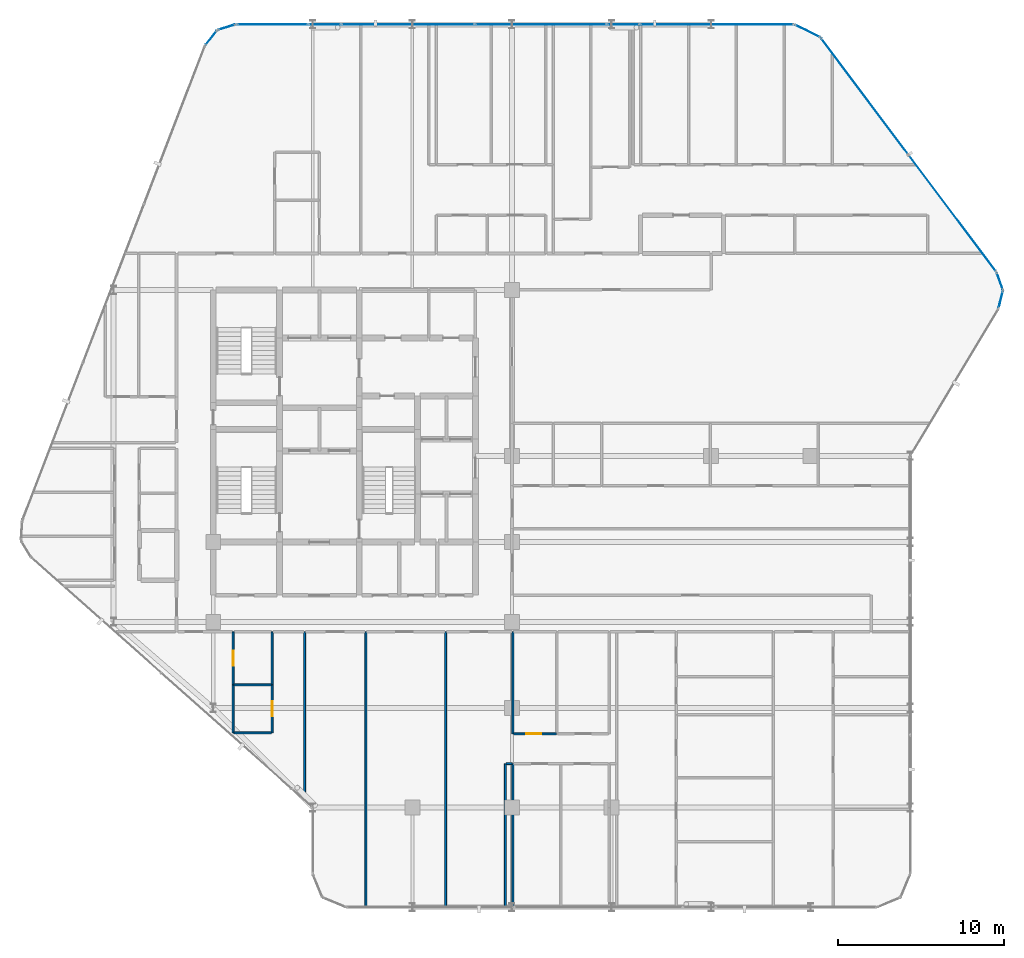
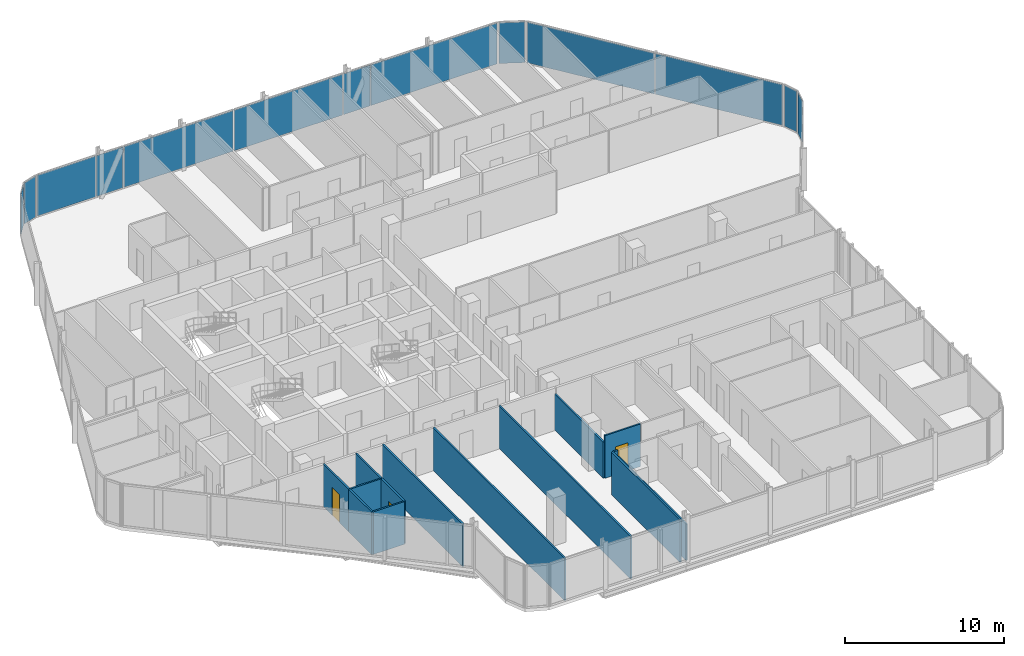
# One storey, part 24 of 31: 14 walls, 13 plates, 3 doors, 3 openings, 11 elements without a shape of their own.
"""IFC4 building model written with IfcOpenShell, lengths in metres."""

from ifc_helpers import new_model, si_unit, direction, frame, frame_2d, origin, origin_2d, place, context, subcontext, project, spatial, rectangle, extrude, material, layer, layer_set, type_object, element, fill, aggregate, save


model = new_model("IFC4")

# Units and contexts
model_context = context("Model", 3, precision=1e-05, world=origin(), true_north=direction((0.0, 1.0)))
body_context = subcontext(model_context, "Body", "Model", "MODEL_VIEW")
ifc_project = project(units=[si_unit("LENGTHUNIT", "METRE"), si_unit("AREAUNIT", "SQUARE_METRE"), si_unit("VOLUMEUNIT", "CUBIC_METRE"), si_unit("PLANEANGLEUNIT", "RADIAN"), si_unit("MASSUNIT", "GRAM", prefix="KILO")], contexts=[model_context])

# Site, building, storey
site_placement = place(None, origin())
site = spatial("IfcSite", under=ifc_project, at=site_placement, CompositionType="ELEMENT")
building_placement = place(site_placement, origin())
building = spatial("IfcBuilding", under=site, at=building_placement, Name="Keshet Zoharim Tower", CompositionType="ELEMENT")
storey_placement = place(building_placement, frame((0.0, 0.0, 155.699951171875)))
storey = spatial("IfcBuildingStorey", under=building, at=storey_placement, Name="L38", CompositionType="ELEMENT", Elevation=155.699951171875)

# Curtain wall, plate
ifc_material_1 = material(Name="Aluminium 6063-T6", Category="aluminium")
ifc_layer_1 = layer(ifc_material_1, 0.159912109375)
ifc_layer_set_1 = layer_set([ifc_layer_1], Name="Aluminium 6063-T6")
curtain_wall_type = type_object("IfcCurtainWallType", Name="CW-SYS-03", PredefinedType="NOTDEFINED", material=ifc_layer_set_1)
curtain_wall_1_placement = place(storey_placement, origin())
curtain_wall_1 = element("IfcCurtainWall", 1, at=curtain_wall_1_placement, inside=storey, type_object=curtain_wall_type, Name="L38 Unitised Curtain Wall 11", PredefinedType="NOTDEFINED")
ifc_material_2 = material(Name="Insulated Low-E Clear Glass", Category="glass")
ifc_layer_2 = layer(ifc_material_2, 0.035888671875)
ifc_layer_set_2 = layer_set([ifc_layer_2], Name="Insulated Low-E Clear Glass")
plate_type_1 = type_object("IfcPlateType", Name="CWP-01", PredefinedType="CURTAIN_PANEL", material=ifc_layer_set_2)
plate_1_placement = place(storey_placement, frame((14.8740234375, 53.08349609375, 0.0703125), z_axis=(0.0, 0.0, 1.0), x_axis=(0.619124525989, 0.785292825205, 0.0)))
plate_1 = element("IfcPlate", 2, at=plate_1_placement, type_object=plate_type_1, Name="CW-03 panel 1.1", PredefinedType="CURTAIN_PANEL", context=body_context, shape_type="SweptSolid", body=[
    extrude(rectangle(XDim=1.045654296875, YDim=0.035888671875, at=origin_2d()), origin(), (0.0, 0.0, 1.0), 3.139892578125),
])
aggregate(curtain_wall_1, [plate_1])

curtain_wall_2_placement = place(storey_placement, origin())
curtain_wall_2 = element("IfcCurtainWall", 3, at=curtain_wall_2_placement, inside=storey, type_object=curtain_wall_type, Name="L38 Unitised Curtain Wall 12", PredefinedType="NOTDEFINED")
plate_2_placement = place(storey_placement, frame((15.8076171875, 53.724609375, 0.0703125), z_axis=(0.0, 0.0, 1.0), x_axis=(0.955212151288, 0.295921857984, 0.0)))
plate_2 = element("IfcPlate", 4, at=plate_2_placement, type_object=plate_type_1, Name="CW-03 panel 1.1", PredefinedType="CURTAIN_PANEL", context=body_context, shape_type="SweptSolid", body=[
    extrude(rectangle(XDim=1.046142578125, YDim=0.035888671875, at=origin_2d()), origin(), (0.0, 0.0, 1.0), 3.139892578125),
])
aggregate(curtain_wall_2, [plate_2])

curtain_wall_3_placement = place(storey_placement, origin())
curtain_wall_3 = element("IfcCurtainWall", 5, at=curtain_wall_3_placement, inside=storey, type_object=curtain_wall_type, Name="L38 Unitised Curtain Wall 13", PredefinedType="NOTDEFINED")
ifc_layer_3 = layer(ifc_material_2, 0.031982421875)
ifc_layer_set_3 = layer_set([ifc_layer_3], Name="Insulated Low-E Clear Glass")
plate_type_2 = type_object("IfcPlateType", Name="CWP-02", PredefinedType="CURTAIN_PANEL", material=ifc_layer_set_3)
plate_3_placement = place(storey_placement, frame((18.563232421875, 53.89990234375, 0.0703125), z_axis=(0.0, 0.0, 1.0), x_axis=(1.0, 0.0, 0.0)))
plate_3 = element("IfcPlate", 6, at=plate_3_placement, type_object=plate_type_2, Name="CW-03 panel 1.1", PredefinedType="CURTAIN_PANEL", context=body_context, shape_type="SweptSolid", body=[
    extrude(rectangle(XDim=4.23876953125, YDim=0.031982421875, at=origin_2d()), origin(), (0.0, 0.0, 1.0), 3.139892578125),
])
aggregate(curtain_wall_3, [plate_3])

# Curtain wall, plates
curtain_wall_4_placement = place(storey_placement, origin())
curtain_wall_4 = element("IfcCurtainWall", 7, at=curtain_wall_4_placement, inside=storey, type_object=curtain_wall_type, Name="L38 Unitised Curtain Wall 13 Part 3", PredefinedType="NOTDEFINED")
plate_4_placement = place(storey_placement, frame((26.731201171875, 53.89990234375, 0.0703125), z_axis=(0.0, 0.0, 1.0), x_axis=(1.0, 0.0, 0.0)))
plate_4 = element("IfcPlate", 8, at=plate_4_placement, type_object=plate_type_2, Name="CW-03 panel 1.1", PredefinedType="CURTAIN_PANEL", context=body_context, shape_type="SweptSolid", body=[
    extrude(rectangle(XDim=7.9677734375, YDim=0.031982421875, at=origin_2d()), origin(), (0.0, 0.0, 1.0), 3.139892578125),
])
plate_5_placement = place(storey_placement, frame((34.73388671875, 53.89990234375, 0.0703125), z_axis=(0.0, 0.0, 1.0), x_axis=(1.0, 0.0, 0.0)))
plate_5 = element("IfcPlate", 9, at=plate_5_placement, type_object=plate_type_2, Name="CW-03 panel 2.1", PredefinedType="CURTAIN_PANEL", context=body_context, shape_type="SweptSolid", body=[
    extrude(rectangle(XDim=7.897705078125, YDim=0.031982421875, at=origin_2d()), origin(), (0.0, 0.0, 1.0), 3.139892578125),
])
aggregate(curtain_wall_4, [plate_4, plate_5])

# Curtain wall, plate
curtain_wall_5_placement = place(storey_placement, origin())
curtain_wall_5 = element("IfcCurtainWall", 10, at=curtain_wall_5_placement, inside=storey, type_object=curtain_wall_type, Name="L38 Unitised Curtain Wall 13 Part 5", PredefinedType="NOTDEFINED")
plate_6_placement = place(storey_placement, frame((45.338623046875, 53.89990234375, 0.0703125), z_axis=(0.0, 0.0, 1.0), x_axis=(1.0, 0.0, 0.0)))
plate_6 = element("IfcPlate", 11, at=plate_6_placement, type_object=plate_type_2, Name="CW-03 panel 1.1", PredefinedType="CURTAIN_PANEL", context=body_context, shape_type="SweptSolid", body=[
    extrude(rectangle(XDim=9.1826171875, YDim=0.031982421875, at=origin_2d()), origin(), (0.0, 0.0, 1.0), 3.139892578125),
])
aggregate(curtain_wall_5, [plate_6])

curtain_wall_6_placement = place(storey_placement, origin())
curtain_wall_6 = element("IfcCurtainWall", 12, at=curtain_wall_6_placement, inside=storey, type_object=curtain_wall_type, Name="L38 Unitised Curtain Wall 14", PredefinedType="NOTDEFINED")
plate_7_placement = place(storey_placement, frame((50.800048828125, 53.5, 0.0703125), z_axis=(0.0, 0.0, 1.0), x_axis=(0.894427191001, -0.447213595499, 0.0)))
plate_7 = element("IfcPlate", 13, at=plate_7_placement, type_object=plate_type_2, Name="CW-03 panel 1.1", PredefinedType="CURTAIN_PANEL", context=body_context, shape_type="SweptSolid", body=[
    extrude(rectangle(XDim=1.64892578125, YDim=0.031982421875, at=origin_2d()), origin(), (0.0, 0.0, 1.0), 3.139892578125),
])
aggregate(curtain_wall_6, [plate_7])

# Curtain wall, plates
curtain_wall_7_placement = place(storey_placement, origin())
curtain_wall_7 = element("IfcCurtainWall", 14, at=curtain_wall_7_placement, inside=storey, type_object=curtain_wall_type, Name="L38 Unitised Curtain Wall 15", PredefinedType="NOTDEFINED")
plate_8_placement = place(storey_placement, frame((54.2587890625, 49.554931640625, 0.0703125), z_axis=(0.0, 0.0, 1.0), x_axis=(0.600000000002, -0.799999999998, 0.0)))
plate_8 = element("IfcPlate", 15, at=plate_8_placement, type_object=plate_type_2, Name="CW-03 panel 1.1", PredefinedType="CURTAIN_PANEL", context=body_context, shape_type="SweptSolid", body=[
    extrude(rectangle(XDim=8.722412109375, YDim=0.031982421875, at=origin_2d()), origin(), (0.0, 0.0, 1.0), 3.139892578125),
])
plate_9_placement = place(storey_placement, frame((59.5341796875, 42.52099609375, 0.0703125), z_axis=(0.0, 0.0, 1.0), x_axis=(0.600000000002, -0.799999999998, 0.0)))
plate_9 = element("IfcPlate", 16, at=plate_9_placement, type_object=plate_type_2, Name="CW-03 panel 2.1", PredefinedType="CURTAIN_PANEL", context=body_context, shape_type="SweptSolid", body=[
    extrude(rectangle(XDim=8.722412109375, YDim=0.031982421875, at=origin_2d()), origin(), (0.0, 0.0, 1.0), 3.139892578125),
])
aggregate(curtain_wall_7, [plate_8, plate_9])

# Curtain wall, plate
curtain_wall_8_placement = place(storey_placement, origin())
curtain_wall_8 = element("IfcCurtainWall", 17, at=curtain_wall_8_placement, inside=storey, type_object=curtain_wall_type, Name="L38 Unitised Curtain Wall 16", PredefinedType="NOTDEFINED")
plate_10_placement = place(storey_placement, frame((62.3916015625, 38.427490234375, 0.0703125), z_axis=(0.0, 0.0, 1.0), x_axis=(0.340297354046, -0.940317877544, 0.0)))
plate_10 = element("IfcPlate", 18, at=plate_10_placement, type_object=plate_type_2, Name="CW-03 panel 1.1", PredefinedType="CURTAIN_PANEL", context=body_context, shape_type="SweptSolid", body=[
    extrude(rectangle(XDim=1.026611328125, YDim=0.031982421875, at=origin_2d()), origin(), (0.0, 0.0, 1.0), 3.139892578125),
])
aggregate(curtain_wall_8, [plate_10])

curtain_wall_9_placement = place(storey_placement, origin())
curtain_wall_9 = element("IfcCurtainWall", 19, at=curtain_wall_9_placement, inside=storey, type_object=curtain_wall_type, Name="L38 Unitised Curtain Wall 17", PredefinedType="NOTDEFINED")
plate_11_placement = place(storey_placement, frame((62.448974609375, 37.31298828125, 0.0703125), z_axis=(0.0, 0.0, 1.0), x_axis=(-0.241728770141, -0.970343857447, 0.0)))
plate_11 = element("IfcPlate", 20, at=plate_11_placement, type_object=plate_type_2, Name="CW-03 panel 1.1", PredefinedType="CURTAIN_PANEL", context=body_context, shape_type="SweptSolid", body=[
    extrude(rectangle(XDim=1.026611328125, YDim=0.031982421875, at=origin_2d()), origin(), (0.0, 0.0, 1.0), 3.139892578125),
])
aggregate(curtain_wall_9, [plate_11])

curtain_wall_10_placement = place(storey_placement, origin())
curtain_wall_10 = element("IfcCurtainWall", 21, at=curtain_wall_10_placement, inside=storey, type_object=curtain_wall_type, Name="L38 Unitised Curtain Wall 13 Part 2", PredefinedType="NOTDEFINED")
ifc_material_3 = material(Name="Insulated Aluminium Spandrel Panel", Category="aluminium")
ifc_layer_4 = layer(ifc_material_3, 0.031982421875)
ifc_layer_set_4 = layer_set([ifc_layer_4], Name="Insulated Aluminium Spandrel Panel")
plate_type_3 = type_object("IfcPlateType", Name="CWP-05", PredefinedType="CURTAIN_PANEL", material=ifc_layer_set_4)
plate_12_placement = place(storey_placement, frame((21.715087890625, 53.89990234375, 0.0703125), z_axis=(0.0, 0.0, 1.0), x_axis=(1.0, 0.0, 0.0)))
plate_12 = element("IfcPlate", 22, at=plate_12_placement, type_object=plate_type_3, Name="CW-03 spandrel panel 1.1", PredefinedType="CURTAIN_PANEL", context=body_context, shape_type="SweptSolid", body=[
    extrude(rectangle(XDim=1.924560546875, YDim=0.031982421875, at=origin_2d()), origin(), (0.0, 0.0, 1.0), 3.139892578125),
])
aggregate(curtain_wall_10, [plate_12])

curtain_wall_11_placement = place(storey_placement, origin())
curtain_wall_11 = element("IfcCurtainWall", 23, at=curtain_wall_11_placement, inside=storey, type_object=curtain_wall_type, Name="L38 Unitised Curtain Wall 13 Part 4", PredefinedType="NOTDEFINED")
plate_13_placement = place(storey_placement, frame((39.715087890625, 53.89990234375, 0.0703125), z_axis=(0.0, 0.0, 1.0), x_axis=(1.0, 0.0, 0.0)))
plate_13 = element("IfcPlate", 24, at=plate_13_placement, type_object=plate_type_3, Name="CW-03 spandrel panel 1.1", PredefinedType="CURTAIN_PANEL", context=body_context, shape_type="SweptSolid", body=[
    extrude(rectangle(XDim=1.924560546875, YDim=0.031982421875, at=origin_2d()), origin(), (0.0, 0.0, 1.0), 3.139892578125),
])
aggregate(curtain_wall_11, [plate_13])

# Wall, opening, door
ifc_material_4 = material(Name="Gypsum Plasterboard", Category="gypsum")
ifc_layer_5 = layer(ifc_material_4, 0.1201171875)
ifc_layer_set_5 = layer_set([ifc_layer_5], Name="Gypsum Plasterboard")
wall_type_1 = type_object("IfcWallType", Name="WL-PART-120", PredefinedType="PARTITIONING", material=ifc_layer_set_5)
wall_1_placement = place(storey_placement, frame((16.199951171875, 14.10009765625, 0.0), z_axis=(0.0, 0.0, 1.0), x_axis=(0.0, 1.0, 0.0)))
wall_1 = element("IfcWall", 25, at=wall_1_placement, inside=storey, type_object=wall_type_1, Name="L38 Interior Wall 018", PredefinedType="PARTITIONING", context=body_context, shape_type="SweptSolid", body=[
    extrude(rectangle(XDim=3.199951171875, YDim=0.1201171875, at=frame_2d((1.60009765625, 0.0))), origin(), (0.0, 0.0, 1.0), 3.280029296875),
])
opening_1_placement = place(wall_1_placement, frame((1.14990234375, 0.0, 0.0)))
opening_1 = element("IfcOpeningElement", 26, at=opening_1_placement, cuts=wall_1, Name="Opening D-IN90", PredefinedType="OPENING", context=body_context, shape_type="SweptSolid", body=[
    extrude(rectangle(XDim=0.89990234375, YDim=2.14990234375, at=frame_2d((0.449951171875, 1.074951171875))), frame((0.0, 0.070068359375, 0.0), z_axis=(0.0, -1.0, 0.0), x_axis=(1.0, 0.0, 0.0)), (0.0, 0.0, 1.0), 0.14013671875),
])
ifc_material_5 = material(Name="Hardwood Timber", Category="wood")
door_type_1 = type_object("IfcDoorType", Name="DR-INT-090", OperationType="NOTDEFINED", PredefinedType="DOOR", material=ifc_material_5)
door_1_placement = place(opening_1_placement, origin())
door_1 = element("IfcDoor", 27, at=door_1_placement, inside=storey, type_object=door_type_1, Name="Apartment 3801 Kitchenette Door", OperationType="SINGLE_SWING_LEFT", OverallHeight=2.14990234375, OverallWidth=0.89990234375, PredefinedType="DOOR", context=body_context, shape_type="SweptSolid", body=[
    extrude(rectangle(XDim=0.89990234375, YDim=2.14990234375, at=frame_2d((0.449951171875, 1.074951171875))), frame((0.0, 0.02490234375, 0.0), z_axis=(0.0, -1.0, 0.0), x_axis=(1.0, 0.0, 0.0)), (0.0, 0.0, 1.0), 0.050048828125),
])
fill(opening_1, door_1)

# Walls
wall_2_placement = place(storey_placement, frame((18.550048828125, 14.10009765625, 0.0), z_axis=(0.0, 0.0, 1.0), x_axis=(0.0, 1.0, 0.0)))
element("IfcWall", 28, at=wall_2_placement, inside=storey, type_object=wall_type_1, Name="L38 Interior Wall 020", PredefinedType="PARTITIONING", context=body_context, shape_type="SweptSolid", body=[
    extrude(rectangle(XDim=3.199951171875, YDim=0.1201171875, at=frame_2d((1.60009765625, 0.0))), origin(), (0.0, 0.0, 1.0), 3.280029296875),
])
wall_3_placement = place(storey_placement, frame((20.5, 7.154052734375, 0.0), z_axis=(0.0, 0.0, 1.0), x_axis=(0.0, 1.0, 0.0)))
element("IfcWall", 29, at=wall_3_placement, inside=storey, type_object=wall_type_1, Name="L38 Interior Wall 028", PredefinedType="PARTITIONING", context=body_context, shape_type="SweptSolid", body=[
    extrude(rectangle(XDim=10.14599609375, YDim=0.1201171875, at=frame_2d((5.072998046875, 0.0))), origin(), (0.0, 0.0, 1.0), 3.280029296875),
])
for number, where, z_axis, x_axis, name in (
    (30, (24.199951171875, 0.7099609375, 0.0), (0.0, 0.0, 1.0), (0.0, 1.0, 0.0), "L38 Interior Wall 041"),
    (31, (29.0, 0.7099609375, 0.0), (0.0, 0.0, 1.0), (0.0, 1.0, 0.0), "L38 Interior Wall 052"),
):
    element("IfcWall", number, at=place(storey_placement, frame(where, z_axis=z_axis, x_axis=x_axis)), inside=storey, type_object=wall_type_1, Name=name, PredefinedType="PARTITIONING", context=body_context, shape_type="SweptSolid", body=[
        extrude(rectangle(XDim=16.590087890625, YDim=0.1201171875, at=frame_2d((8.294921875, 0.0))), origin(), (0.0, 0.0, 1.0), 3.280029296875),
    ])
wall_4_placement = place(storey_placement, frame((32.60009765625, 0.7099609375, 0.0), z_axis=(0.0, 0.0, 1.0), x_axis=(0.0, 1.0, 0.0)))
element("IfcWall", 32, at=wall_4_placement, inside=storey, type_object=wall_type_1, Name="L38 Interior Wall 063", PredefinedType="PARTITIONING", context=body_context, shape_type="SweptSolid", body=[
    extrude(rectangle(XDim=8.64013671875, YDim=0.1201171875, at=frame_2d((4.320068359375, 0.0))), origin(), (0.0, 0.0, 1.0), 3.280029296875),
])
wall_5_placement = place(storey_placement, frame((33.050048828125, 0.7099609375, 0.0), z_axis=(0.0, 0.0, 1.0), x_axis=(0.0, 1.0, 0.0)))
element("IfcWall", 33, at=wall_5_placement, inside=storey, type_object=wall_type_1, Name="L38 Interior Wall 068", PredefinedType="PARTITIONING", context=body_context, shape_type="SweptSolid", body=[
    extrude(rectangle(XDim=8.64013671875, YDim=0.1201171875, at=frame_2d((4.320068359375, 0.0))), origin(), (0.0, 0.0, 1.0), 2.780029296875),
])
wall_6_placement = place(storey_placement, frame((33.050048828125, 11.14990234375, 0.0), z_axis=(0.0, 0.0, 1.0), x_axis=(0.0, 1.0, 0.0)))
element("IfcWall", 34, at=wall_6_placement, inside=storey, type_object=wall_type_1, Name="L38 Interior Wall 069", PredefinedType="PARTITIONING", context=body_context, shape_type="SweptSolid", body=[
    extrude(rectangle(XDim=6.150146484375, YDim=0.1201171875, at=frame_2d((3.0751953125, 0.0))), origin(), (0.0, 0.0, 1.0), 2.780029296875),
])
wall_7_placement = place(storey_placement, frame((32.64501953125, 9.35009765625, 0.0), z_axis=(0.0, 0.0, 1.0), x_axis=(1.0, 0.0, 0.0)))
element("IfcWall", 35, at=wall_7_placement, inside=storey, type_object=wall_type_1, Name="L38 Interior Wall 111", PredefinedType="PARTITIONING", context=body_context, shape_type="SweptSolid", body=[
    extrude(rectangle(XDim=0.35986328125, YDim=0.1201171875, at=frame_2d((0.179931640625, 0.0))), origin(), (0.0, 0.0, 1.0), 3.280029296875),
])

# Wall, opening, door
wall_8_placement = place(storey_placement, frame((33.094970703125, 11.14990234375, 0.0), z_axis=(0.0, 0.0, 1.0), x_axis=(1.0, 0.0, 0.0)))
wall_8 = element("IfcWall", 36, at=wall_8_placement, inside=storey, type_object=wall_type_1, Name="L38 Interior Wall 114", PredefinedType="PARTITIONING", context=body_context, shape_type="SweptSolid", body=[
    extrude(rectangle(XDim=2.578125, YDim=0.1201171875, at=frame_2d((1.2890625, 0.0))), origin(), (0.0, 0.0, 1.0), 3.280029296875),
])
opening_2_placement = place(wall_8_placement, frame((0.76904296875, 0.0, 0.0)))
opening_2 = element("IfcOpeningElement", 37, at=opening_2_placement, cuts=wall_8, Name="Opening D-IN90", PredefinedType="OPENING", context=body_context, shape_type="SweptSolid", body=[
    extrude(rectangle(XDim=0.89990234375, YDim=2.14990234375, at=frame_2d((0.449951171875, 1.074951171875))), frame((0.0, 0.070068359375, 0.0), z_axis=(0.0, -1.0, 0.0), x_axis=(1.0, 0.0, 0.0)), (0.0, 0.0, 1.0), 0.14013671875),
])
door_2_placement = place(opening_2_placement, origin())
door_2 = element("IfcDoor", 38, at=door_2_placement, inside=storey, type_object=door_type_1, Name="Apartment 3802 Kitchen Door", OperationType="SINGLE_SWING_LEFT", OverallHeight=2.14990234375, OverallWidth=0.89990234375, PredefinedType="DOOR", context=body_context, shape_type="SweptSolid", body=[
    extrude(rectangle(XDim=0.89990234375, YDim=2.14990234375, at=frame_2d((0.449951171875, 1.074951171875))), frame((0.0, 0.02490234375, 0.0), z_axis=(0.0, -1.0, 0.0), x_axis=(1.0, 0.0, 0.0)), (0.0, 0.0, 1.0), 0.050048828125),
])
fill(opening_2, door_2)

# Wall
ifc_layer_6 = layer(ifc_material_4, 0.1201171875)
ifc_layer_set_6 = layer_set([ifc_layer_6], Name="Gypsum Plasterboard")
wall_type_2 = type_object("IfcWallType", Name="WL-WET-120", PredefinedType="PARTITIONING", material=ifc_layer_set_6)
wall_9_placement = place(storey_placement, frame((16.199951171875, 11.199951171875, 0.0), z_axis=(0.0, 0.0, 1.0), x_axis=(0.0, 1.0, 0.0)))
element("IfcWall", 39, at=wall_9_placement, inside=storey, type_object=wall_type_2, Name="L38 Interior Wall 017", PredefinedType="PARTITIONING", context=body_context, shape_type="SweptSolid", body=[
    extrude(rectangle(XDim=2.900146484375, YDim=0.1201171875, at=frame_2d((1.4501953125, 0.0))), origin(), (0.0, 0.0, 1.0), 3.280029296875),
])

# Wall, opening, door
wall_10_placement = place(storey_placement, frame((18.550048828125, 11.199951171875, 0.0), z_axis=(0.0, 0.0, 1.0), x_axis=(0.0, 1.0, 0.0)))
wall_10 = element("IfcWall", 40, at=wall_10_placement, inside=storey, type_object=wall_type_2, Name="L38 Interior Wall 019", PredefinedType="PARTITIONING", context=body_context, shape_type="SweptSolid", body=[
    extrude(rectangle(XDim=2.900146484375, YDim=0.1201171875, at=frame_2d((1.4501953125, 0.0))), origin(), (0.0, 0.0, 1.0), 3.280029296875),
])
opening_3_placement = place(wall_10_placement, frame((1.0, 0.0, 0.0)))
opening_3 = element("IfcOpeningElement", 41, at=opening_3_placement, cuts=wall_10, Name="Opening D-WT90", PredefinedType="OPENING", context=body_context, shape_type="SweptSolid", body=[
    extrude(rectangle(XDim=0.89990234375, YDim=2.10009765625, at=frame_2d((0.449951171875, 1.050048828125))), frame((0.0, 0.070068359375, 0.0), z_axis=(0.0, -1.0, 0.0), x_axis=(1.0, 0.0, 0.0)), (0.0, 0.0, 1.0), 0.14013671875),
])
door_type_2 = type_object("IfcDoorType", Name="DR-WET-090", OperationType="NOTDEFINED", PredefinedType="DOOR", material=ifc_material_5)
door_3_placement = place(opening_3_placement, origin())
door_3 = element("IfcDoor", 42, at=door_3_placement, inside=storey, type_object=door_type_2, Name="Apartment 3801 Bathroom Door", OperationType="SINGLE_SWING_RIGHT", OverallHeight=2.10009765625, OverallWidth=0.89990234375, PredefinedType="DOOR", context=body_context, shape_type="SweptSolid", body=[
    extrude(rectangle(XDim=0.89990234375, YDim=2.10009765625, at=frame_2d((0.449951171875, 1.050048828125))), frame((0.0, 0.02490234375, 0.0), z_axis=(0.0, -1.0, 0.0), x_axis=(1.0, 0.0, 0.0)), (0.0, 0.0, 1.0), 0.050048828125),
])
fill(opening_3, door_3)

# Walls
for number, where, z_axis, x_axis, name in (
    (43, (16.2451171875, 11.199951171875, 0.0), (0.0, 0.0, 1.0), (1.0, 0.0, 0.0), "L38 Interior Wall 116"),
    (44, (16.2451171875, 14.10009765625, 0.0), (0.0, 0.0, 1.0), (1.0, 0.0, 0.0), "L38 Interior Wall 119"),
):
    element("IfcWall", number, at=place(storey_placement, frame(where, z_axis=z_axis, x_axis=x_axis)), inside=storey, type_object=wall_type_2, Name=name, PredefinedType="PARTITIONING", context=body_context, shape_type="SweptSolid", body=[
        extrude(rectangle(XDim=2.259765625, YDim=0.1201171875, at=frame_2d((1.1298828125, 0.0))), origin(), (0.0, 0.0, 1.0), 3.280029296875),
    ])

save(model, "model.ifc")
